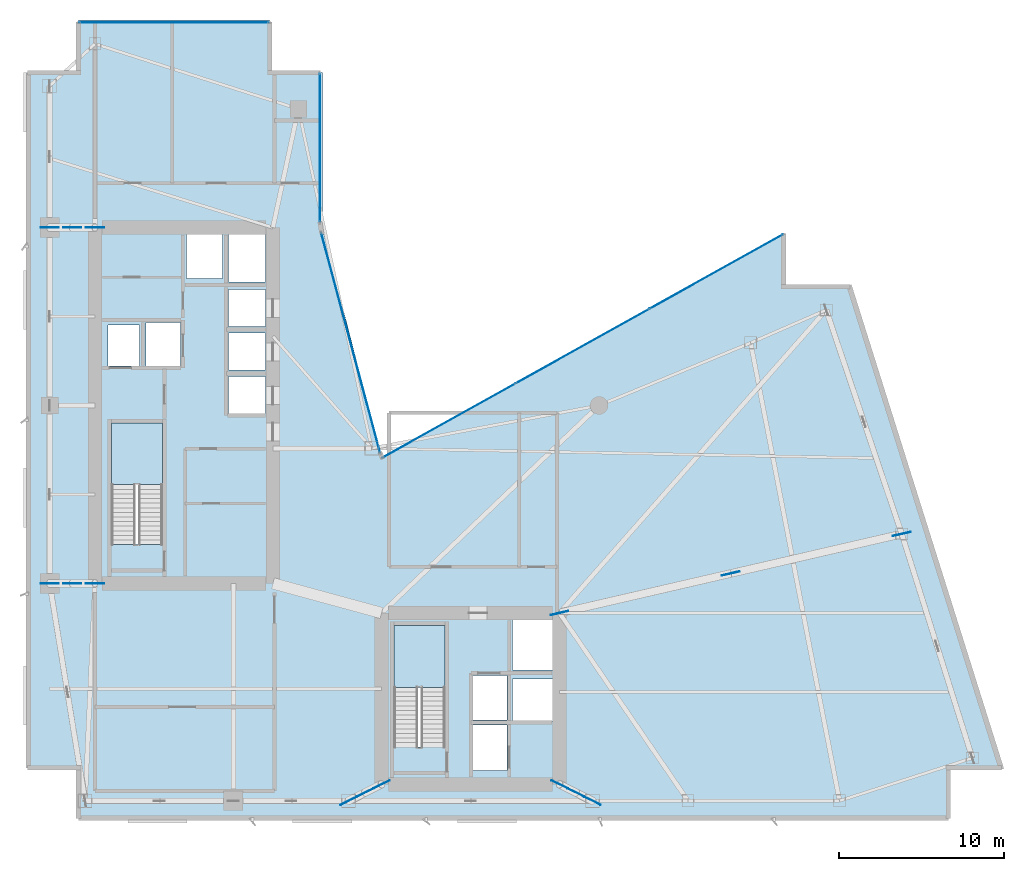
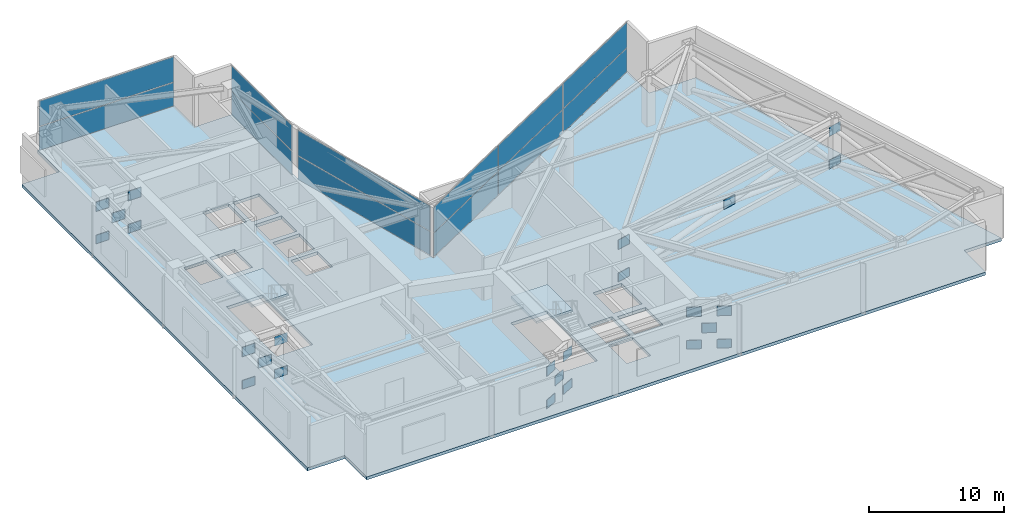
# One storey, part 11 of 19: 37 plates, 3 slabs, 6 elements without a shape of their own.
"""IFC4 building model written with IfcOpenShell, lengths in metres."""

from ifc_helpers import new_model, si_unit, direction, frame, origin, origin_2d, place, context, subcontext, project, spatial, polyline, rectangle, outline, extrude, material, layer, layer_set, type_object, element, aggregate, save


model = new_model("IFC4")

# Units and contexts
model_context = context("Model", 3, precision=1e-05, world=origin(), true_north=direction((0.0, 1.0)))
body_context = subcontext(model_context, "Body", "Model", "MODEL_VIEW")
ifc_project = project(units=[si_unit("LENGTHUNIT", "METRE"), si_unit("AREAUNIT", "SQUARE_METRE"), si_unit("VOLUMEUNIT", "CUBIC_METRE"), si_unit("PLANEANGLEUNIT", "RADIAN"), si_unit("MASSUNIT", "GRAM", prefix="KILO")], contexts=[model_context])

# Site, building, storey
site_placement = place(None, origin())
site = spatial("IfcSite", under=ifc_project, at=site_placement, CompositionType="ELEMENT")
building_placement = place(site_placement, origin())
building = spatial("IfcBuilding", under=site, at=building_placement, Name="Calvorn Quay Hotel", CompositionType="ELEMENT")
storey_placement = place(building_placement, frame((0.0, 0.0, 139.199951171875)))
storey = spatial("IfcBuildingStorey", under=building, at=storey_placement, Name="L34", CompositionType="ELEMENT", Elevation=139.199951171875)

# Curtain wall, plates
ifc_material_1 = material(Name="Pale Anodised Aluminium and Low-E Glass", Category="aluminium")
ifc_layer_1 = layer(ifc_material_1, 0.219970703125)
ifc_layer_set_1 = layer_set([ifc_layer_1], Name="CW-SYS-Z2")
curtain_wall_type = type_object("IfcCurtainWallType", Name="CW-SYS-Z2", PredefinedType="NOTDEFINED", material=ifc_layer_set_1)
curtain_wall_1_placement = place(storey_placement, origin())
curtain_wall_1 = element("IfcCurtainWall", 1, at=curtain_wall_1_placement, inside=storey, type_object=curtain_wall_type, Name="Inner Court Curtain Wall L34-NE1", PredefinedType="NOTDEFINED")
ifc_material_2 = material(Name="Low-E Laminated Double Glazing", Category="glass")
ifc_layer_2 = layer(ifc_material_2, 0.028076171875)
ifc_layer_set_2 = layer_set([ifc_layer_2], Name="CW-SYS-Z2-PAN")
plate_type_1 = type_object("IfcPlateType", Name="CW-SYS-Z2-PAN", PredefinedType="CURTAIN_PANEL", material=ifc_layer_set_2)
plate_1_placement = place(storey_placement, frame((41.920166015625, 35.72607421875, 0.06005859375), z_axis=(0.0, 0.0, 1.0), x_axis=(-0.873480989116, -0.486858256224, 0.0)))
plate_1 = element("IfcPlate", 2, at=plate_1_placement, type_object=plate_type_1, Name="CW-L34-NE1 panel 1.1", PredefinedType="CURTAIN_PANEL", context=body_context, shape_type="SweptSolid", body=[
    extrude(rectangle(XDim=9.221435546875, YDim=0.028076171875, at=origin_2d()), origin(), (0.0, 0.0, 1.0), 2.110107421875),
])
plate_2_placement = place(storey_placement, frame((41.920166015625, 35.72607421875, 2.22998046875), z_axis=(0.0, 0.0, 1.0), x_axis=(-0.873480989116, -0.486858256224, 0.0)))
plate_2 = element("IfcPlate", 3, at=plate_2_placement, type_object=plate_type_1, Name="CW-L34-NE1 panel 1.2", PredefinedType="CURTAIN_PANEL", context=body_context, shape_type="SweptSolid", body=[
    extrude(rectangle(XDim=9.221435546875, YDim=0.028076171875, at=origin_2d()), origin(), (0.0, 0.0, 1.0), 2.27001953125),
])
plate_3_placement = place(storey_placement, frame((33.800048828125, 31.199951171875, 0.06005859375), z_axis=(0.0, 0.0, 1.0), x_axis=(-0.873480989116, -0.486858256224, 0.0)))
plate_3 = element("IfcPlate", 4, at=plate_3_placement, type_object=plate_type_1, Name="CW-L34-NE1 panel 2.1", PredefinedType="CURTAIN_PANEL", context=body_context, shape_type="SweptSolid", body=[
    extrude(rectangle(XDim=9.25146484375, YDim=0.028076171875, at=origin_2d()), origin(), (0.0, 0.0, 1.0), 2.110107421875),
])
plate_4_placement = place(storey_placement, frame((33.800048828125, 31.199951171875, 2.22998046875), z_axis=(0.0, 0.0, 1.0), x_axis=(-0.873480989116, -0.486858256224, 0.0)))
plate_4 = element("IfcPlate", 5, at=plate_4_placement, type_object=plate_type_1, Name="CW-L34-NE1 panel 2.2", PredefinedType="CURTAIN_PANEL", context=body_context, shape_type="SweptSolid", body=[
    extrude(rectangle(XDim=9.25146484375, YDim=0.028076171875, at=origin_2d()), origin(), (0.0, 0.0, 1.0), 2.27001953125),
])
plate_5_placement = place(storey_placement, frame((25.6796875, 26.674072265625, 0.06005859375), z_axis=(0.0, 0.0, 1.0), x_axis=(-0.873480989116, -0.486858256224, 0.0)))
plate_5 = element("IfcPlate", 6, at=plate_5_placement, type_object=plate_type_1, Name="CW-L34-NE1 panel 3.1", PredefinedType="CURTAIN_PANEL", context=body_context, shape_type="SweptSolid", body=[
    extrude(rectangle(XDim=9.221435546875, YDim=0.028076171875, at=origin_2d()), origin(), (0.0, 0.0, 1.0), 2.110107421875),
])
plate_6_placement = place(storey_placement, frame((25.6796875, 26.674072265625, 2.22998046875), z_axis=(0.0, 0.0, 1.0), x_axis=(-0.873480989116, -0.486858256224, 0.0)))
plate_6 = element("IfcPlate", 7, at=plate_6_placement, type_object=plate_type_1, Name="CW-L34-NE1 panel 3.2", PredefinedType="CURTAIN_PANEL", context=body_context, shape_type="SweptSolid", body=[
    extrude(rectangle(XDim=9.221435546875, YDim=0.028076171875, at=origin_2d()), origin(), (0.0, 0.0, 1.0), 2.27001953125),
])
aggregate(curtain_wall_1, [plate_1, plate_2, plate_3, plate_4, plate_5, plate_6])

curtain_wall_2_placement = place(storey_placement, origin())
curtain_wall_2 = element("IfcCurtainWall", 8, at=curtain_wall_2_placement, inside=storey, type_object=curtain_wall_type, Name="Inner Court Curtain Wall L34-IC1", PredefinedType="NOTDEFINED")
plate_7_placement = place(storey_placement, frame((19.72509765625, 31.39990234375, 0.06005859375), z_axis=(0.0, 0.0, 1.0), x_axis=(-0.25877913024, 0.96593652056, 0.0)))
plate_7 = element("IfcPlate", 9, at=plate_7_placement, type_object=plate_type_1, Name="CW-L34-IC1 panel 1.1", PredefinedType="CURTAIN_PANEL", context=body_context, shape_type="SweptSolid", body=[
    extrude(rectangle(XDim=13.814697265625, YDim=0.028076171875, at=origin_2d()), origin(), (0.0, 0.0, 1.0), 2.110107421875),
])
plate_8_placement = place(storey_placement, frame((19.72509765625, 31.39990234375, 2.22998046875), z_axis=(0.0, 0.0, 1.0), x_axis=(-0.25877913024, 0.96593652056, 0.0)))
plate_8 = element("IfcPlate", 10, at=plate_8_placement, type_object=plate_type_1, Name="CW-L34-IC1 panel 1.2", PredefinedType="CURTAIN_PANEL", context=body_context, shape_type="SweptSolid", body=[
    extrude(rectangle(XDim=13.814697265625, YDim=0.028076171875, at=origin_2d()), origin(), (0.0, 0.0, 1.0), 2.27001953125),
])
aggregate(curtain_wall_2, [plate_7, plate_8])

curtain_wall_3_placement = place(storey_placement, origin())
curtain_wall_3 = element("IfcCurtainWall", 11, at=curtain_wall_3_placement, inside=storey, type_object=curtain_wall_type, Name="Inner Court Curtain Wall L34-IC2", PredefinedType="NOTDEFINED")
plate_9_placement = place(storey_placement, frame((17.85009765625, 43.239990234375, 0.06005859375), z_axis=(0.0, 0.0, 1.0), x_axis=(0.0, 1.0, 0.0)))
plate_9 = element("IfcPlate", 12, at=plate_9_placement, type_object=plate_type_1, Name="CW-L34-IC2 panel 1.1", PredefinedType="CURTAIN_PANEL", context=body_context, shape_type="SweptSolid", body=[
    extrude(rectangle(XDim=9.0, YDim=0.028076171875, at=origin_2d()), origin(), (0.0, 0.0, 1.0), 2.110107421875),
])
plate_10_placement = place(storey_placement, frame((17.85009765625, 43.239990234375, 2.22998046875), z_axis=(0.0, 0.0, 1.0), x_axis=(0.0, 1.0, 0.0)))
plate_10 = element("IfcPlate", 13, at=plate_10_placement, type_object=plate_type_1, Name="CW-L34-IC2 panel 1.2", PredefinedType="CURTAIN_PANEL", context=body_context, shape_type="SweptSolid", body=[
    extrude(rectangle(XDim=9.0, YDim=0.028076171875, at=origin_2d()), origin(), (0.0, 0.0, 1.0), 2.27001953125),
])
aggregate(curtain_wall_3, [plate_9, plate_10])

curtain_wall_4_placement = place(storey_placement, origin())
curtain_wall_4 = element("IfcCurtainWall", 14, at=curtain_wall_4_placement, inside=storey, type_object=curtain_wall_type, Name="Inner Court Curtain Wall L34-N1", PredefinedType="NOTDEFINED")
plate_11_placement = place(storey_placement, frame((9.0, 50.85009765625, 0.06005859375), z_axis=(0.0, 0.0, 1.0), x_axis=(-1.0, 0.0, 0.0)))
plate_11 = element("IfcPlate", 15, at=plate_11_placement, type_object=plate_type_1, Name="CW-L34-N1 panel 1.1", PredefinedType="CURTAIN_PANEL", context=body_context, shape_type="SweptSolid", body=[
    extrude(rectangle(XDim=11.47998046875, YDim=0.028076171875, at=origin_2d()), origin(), (0.0, 0.0, 1.0), 2.110107421875),
])
plate_12_placement = place(storey_placement, frame((9.0, 50.85009765625, 2.22998046875), z_axis=(0.0, 0.0, 1.0), x_axis=(-1.0, 0.0, 0.0)))
plate_12 = element("IfcPlate", 16, at=plate_12_placement, type_object=plate_type_1, Name="CW-L34-N1 panel 1.2", PredefinedType="CURTAIN_PANEL", context=body_context, shape_type="SweptSolid", body=[
    extrude(rectangle(XDim=11.47998046875, YDim=0.028076171875, at=origin_2d()), origin(), (0.0, 0.0, 1.0), 2.27001953125),
])
aggregate(curtain_wall_4, [plate_11, plate_12])

# Plates
ifc_material_3 = material(Name="Steel Q390GJC", Category="steel")
ifc_layer_3 = layer(ifc_material_3, 0.035888671875)
ifc_layer_set_3 = layer_set([ifc_layer_3], Name="PLT-GUSSET-36")
plate_type_2 = type_object("IfcPlateType", Name="PLT-GUSSET-36", PredefinedType="SHEET", material=ifc_layer_set_3)
for number, where, z_axis, x_axis, name in (
    (17, (4.199951171875, 16.800048828125, -0.074951171875), (0.0, 0.0, 1.0), (-1.0, 0.0, 0.0), "Outrigger Gusset Plate L34-OW1-C"),
    (18, (4.199951171875, 16.800048828125, 2.9150390625), (0.0, 0.0, 1.0), (-1.0, 0.0, 0.0), "Outrigger Gusset Plate L34-OW1-CT"),
    (19, (2.824951171875, 16.800048828125, 1.419921875), (0.0, 0.0, 1.0), (-1.0, 0.0, 0.0), "Outrigger Gusset Plate L34-OW1-X"),
    (20, (1.449951171875, 16.800048828125, -0.074951171875), (0.0, 0.0, 1.0), (-1.0, 0.0, 0.0), "Outrigger Gusset Plate L34-OW1-E"),
    (21, (1.449951171875, 16.800048828125, 2.9150390625), (0.0, 0.0, 1.0), (-1.0, 0.0, 0.0), "Outrigger Gusset Plate L34-OW1-ET"),
    (22, (4.199951171875, 38.39990234375, -0.074951171875), (0.0, 0.0, 1.0), (-1.0, 0.0, 0.0), "Outrigger Gusset Plate L34-OW2-C"),
    (23, (4.199951171875, 38.39990234375, 2.9150390625), (0.0, 0.0, 1.0), (-1.0, 0.0, 0.0), "Outrigger Gusset Plate L34-OW2-CT"),
    (24, (2.824951171875, 38.39990234375, 1.419921875), (0.0, 0.0, 1.0), (-1.0, 0.0, 0.0), "Outrigger Gusset Plate L34-OW2-X"),
    (25, (1.449951171875, 38.39990234375, -0.074951171875), (0.0, 0.0, 1.0), (-1.0, 0.0, 0.0), "Outrigger Gusset Plate L34-OW2-E"),
    (26, (1.449951171875, 38.39990234375, 2.9150390625), (0.0, 0.0, 1.0), (-1.0, 0.0, 0.0), "Outrigger Gusset Plate L34-OW2-ET"),
    (27, (21.60009765625, 4.60009765625, -0.074951171875), (0.0, 0.0, 1.0), (-0.89438856037, -0.447290848419, 0.0), "Outrigger Gusset Plate L34-OE1-C"),
    (28, (21.60009765625, 4.60009765625, 2.9150390625), (0.0, 0.0, 1.0), (-0.89438856037, -0.447290848419, 0.0), "Outrigger Gusset Plate L34-OE1-CT"),
    (29, (20.60009765625, 4.10009765625, 1.419921875), (0.0, 0.0, 1.0), (-0.89438856037, -0.447290848419, 0.0), "Outrigger Gusset Plate L34-OE1-X"),
    (30, (19.60009765625, 3.60009765625, -0.074951171875), (0.0, 0.0, 1.0), (-0.89438856037, -0.447290848419, 0.0), "Outrigger Gusset Plate L34-OE1-E"),
    (31, (19.60009765625, 3.60009765625, 2.9150390625), (0.0, 0.0, 1.0), (-0.89438856037, -0.447290848419, 0.0), "Outrigger Gusset Plate L34-OE1-ET"),
    (32, (32.39990234375, 4.60009765625, -0.074951171875), (0.0, 0.0, 1.0), (0.89438856037, -0.447290848419, 0.0), "Outrigger Gusset Plate L34-OE2-C"),
    (33, (32.39990234375, 4.60009765625, 2.9150390625), (0.0, 0.0, 1.0), (0.89438856037, -0.447290848419, 0.0), "Outrigger Gusset Plate L34-OE2-CT"),
    (34, (33.39990234375, 4.10009765625, 1.419921875), (0.0, 0.0, 1.0), (0.89438856037, -0.447290848419, 0.0), "Outrigger Gusset Plate L34-OE2-X"),
    (35, (34.39990234375, 3.60009765625, -0.074951171875), (0.0, 0.0, 1.0), (0.89438856037, -0.447290848419, 0.0), "Outrigger Gusset Plate L34-OE2-E"),
    (36, (34.39990234375, 3.60009765625, 2.9150390625), (0.0, 0.0, 1.0), (0.89438856037, -0.447290848419, 0.0), "Outrigger Gusset Plate L34-OE2-ET"),
    (37, (32.39990234375, 15.0, -0.074951171875), (0.0, 0.0, 1.0), (0.974330788579, 0.225121110574, 0.0), "Outrigger Gusset Plate L34-OE3-C"),
    (38, (32.39990234375, 15.0, 2.9150390625), (0.0, 0.0, 1.0), (0.974330788579, 0.225121110574, 0.0), "Outrigger Gusset Plate L34-OE3-CT"),
    (39, (42.7880859375, 17.39990234375, 1.419921875), (0.0, 0.0, 1.0), (0.974330788579, 0.225121110574, 0.0), "Outrigger Gusset Plate L34-OE3-X"),
    (40, (53.176025390625, 19.800048828125, -0.074951171875), (0.0, 0.0, 1.0), (0.974330788579, 0.225121110574, 0.0), "Outrigger Gusset Plate L34-OE3-E"),
    (41, (53.176025390625, 19.800048828125, 2.9150390625), (0.0, 0.0, 1.0), (0.974330788579, 0.225121110574, 0.0), "Outrigger Gusset Plate L34-OE3-ET"),
):
    element("IfcPlate", number, at=place(storey_placement, frame(where, z_axis=z_axis, x_axis=x_axis)), inside=storey, type_object=plate_type_2, Name=name, PredefinedType="SHEET", context=body_context, shape_type="SweptSolid", body=[
        extrude(rectangle(XDim=1.10009765625, YDim=0.035888671875, at=origin_2d()), origin(), (0.0, 0.0, 1.0), 0.85009765625),
    ])

# Slab
ifc_material_4 = material(Name="Concrete C40", Category="concrete")
ifc_layer_4 = layer(ifc_material_4, 0.280029296875)
ifc_layer_set_4 = layer_set([ifc_layer_4], Name="SLB-REFUGE-280")
slab_type_1 = type_object("IfcSlabType", Name="SLB-REFUGE-280", PredefinedType="FLOOR", material=ifc_layer_set_4)
slab_1_placement = place(storey_placement, frame((0.0, 0.0, -0.280029296875)))
element("IfcSlab", 42, at=slab_1_placement, inside=storey, type_object=slab_type_1, Name="L34 Structural Floor Slab", PredefinedType="FLOOR", context=body_context, shape_type="SweptSolid", body=[
    extrude(outline(polyline([(0.0, 5.60009765625), (3.199951171875, 5.60009765625), (3.199951171875, 2.39990234375), (56.0, 2.39990234375), (56.0, 5.60009765625), (59.199951171875, 5.60009765625), (50.0, 34.800048828125), (46.0, 34.800048828125), (46.0, 38.0), (21.60009765625, 24.39990234375), (18.0, 38.39990234375), (18.0, 47.800048828125), (14.800048828125, 47.800048828125), (14.800048828125, 51.0), (3.199951171875, 51.0), (3.199951171875, 47.800048828125), (0.0, 47.800048828125), (0.0, 5.60009765625)]), holes=[polyline([(5.199951171875, 19.156005859375), (8.300048828125, 19.156005859375), (8.300048828125, 26.550048828125), (5.199951171875, 26.550048828125), (5.199951171875, 19.156005859375)]), polyline([(22.35009765625, 6.85595703125), (25.449951171875, 6.85595703125), (25.449951171875, 14.25), (22.35009765625, 14.25), (22.35009765625, 6.85595703125)]), polyline([(5.0, 30.0), (6.89990234375, 30.0), (6.89990234375, 32.5), (5.0, 32.5), (5.0, 30.0)]), polyline([(7.300048828125, 30.0), (9.39990234375, 30.0), (9.39990234375, 32.64990234375), (7.300048828125, 32.64990234375), (7.300048828125, 30.0)]), polyline([(27.159912109375, 8.5), (29.2099609375, 8.5), (29.2099609375, 11.199951171875), (27.159912109375, 11.199951171875), (27.159912109375, 8.5)]), polyline([(27.159912109375, 5.449951171875), (29.2099609375, 5.449951171875), (29.2099609375, 8.199951171875), (27.159912109375, 8.199951171875), (27.159912109375, 5.449951171875)]), polyline([(12.300048828125, 27.10009765625), (14.56494140625, 27.10009765625), (14.56494140625, 29.35009765625), (12.300048828125, 29.35009765625), (12.300048828125, 27.10009765625)]), polyline([(12.300048828125, 29.75), (14.56494140625, 29.75), (14.56494140625, 32.0), (12.300048828125, 32.0), (12.300048828125, 29.75)]), polyline([(12.300048828125, 32.39990234375), (14.56494140625, 32.39990234375), (14.56494140625, 34.64990234375), (12.300048828125, 34.64990234375), (12.300048828125, 32.39990234375)]), polyline([(12.300048828125, 35.10009765625), (14.56494140625, 35.10009765625), (14.56494140625, 37.965087890625), (12.300048828125, 37.965087890625), (12.300048828125, 35.10009765625)]), polyline([(9.75, 35.300048828125), (11.949951171875, 35.300048828125), (11.949951171875, 37.965087890625), (9.75, 37.965087890625), (9.75, 35.300048828125)]), polyline([(29.550048828125, 11.550048828125), (31.965087890625, 11.550048828125), (31.965087890625, 14.56494140625), (29.550048828125, 14.56494140625), (29.550048828125, 11.550048828125)]), polyline([(29.550048828125, 8.449951171875), (31.965087890625, 8.449951171875), (31.965087890625, 11.0), (29.550048828125, 11.0), (29.550048828125, 8.449951171875)])]), origin(), (0.0, 0.0, 1.0), 0.280029296875),
])

# Stair, slab
ifc_material_5 = material(Name="Concrete C40", Category="concrete")
stair_type = type_object("IfcStairType", Name="STR-CORE-DOGLEG", PredefinedType="HALF_TURN_STAIR", material=ifc_material_5)
stair_1_placement = place(storey_placement, origin())
stair_1 = element("IfcStair", 43, at=stair_1_placement, inside=storey, type_object=stair_type, Name="L34 ST-W", PredefinedType="HALF_TURN_STAIR")
ifc_material_6 = material(Name="Concrete C40", Category="concrete")
ifc_layer_5 = layer(ifc_material_6, 0.199951171875)
ifc_layer_set_5 = layer_set([ifc_layer_5], Name="SLB-STAIR-LANDING-200")
slab_type_2 = type_object("IfcSlabType", Name="SLB-STAIR-LANDING-200", PredefinedType="LANDING", material=ifc_layer_set_5)
slab_2_placement = place(storey_placement, frame((0.0, 0.0, 2.199951171875)))
slab_2 = element("IfcSlab", 44, at=slab_2_placement, type_object=slab_type_2, Name="ST-W landing 1", PredefinedType="LANDING", context=body_context, shape_type="SweptSolid", body=[
    extrude(outline(polyline([(8.300048828125, 22.7900390625), (8.300048828125, 26.550048828125), (5.199951171875, 26.550048828125), (5.199951171875, 22.7900390625), (8.300048828125, 22.7900390625)])), origin(), (0.0, 0.0, 1.0), 0.2001953125),
])
aggregate(stair_1, [slab_2])

stair_2_placement = place(storey_placement, origin())
stair_2 = element("IfcStair", 45, at=stair_2_placement, inside=storey, type_object=stair_type, Name="L34 ST-E", PredefinedType="HALF_TURN_STAIR")
slab_3_placement = place(storey_placement, frame((0.0, 0.0, 2.199951171875)))
slab_3 = element("IfcSlab", 46, at=slab_3_placement, type_object=slab_type_2, Name="ST-E landing 1", PredefinedType="LANDING", context=body_context, shape_type="SweptSolid", body=[
    extrude(outline(polyline([(25.449951171875, 10.489990234375), (25.449951171875, 14.25), (22.35009765625, 14.25), (22.35009765625, 10.489990234375), (25.449951171875, 10.489990234375)])), origin(), (0.0, 0.0, 1.0), 0.2001953125),
])
aggregate(stair_2, [slab_3])

save(model, "model.ifc")
